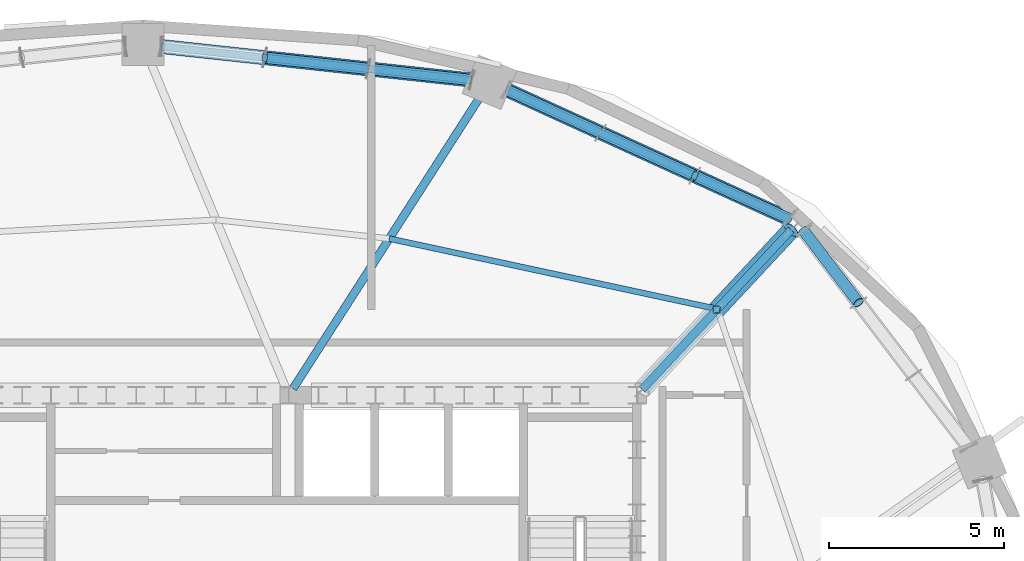
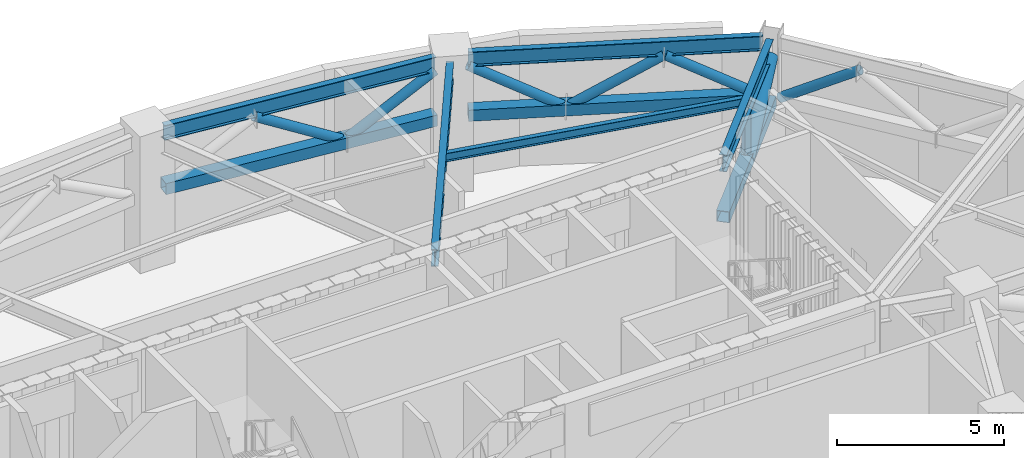
# One storey, part 6 of 17: 11 members, 5 beams.
"""IFC4 building model written with IfcOpenShell, lengths in metres."""

import ifcopenshell
import ifcopenshell.guid

model = None  # the IFC model being written
_history = None  # IfcOwnerHistory: only IFC2X3 demands one
_inside = {}  # id of a spatial element -> (the spatial element, [elements in it])
_under = {}  # id of a project, library or spatial element -> (it, [spatial elements below it])
_declared = {}  # id of a project -> (the project, [libraries it declares])
_typed = {}  # id of a type object -> (the type object, [elements of that type])
_made_of = {}  # id of a material, layer set ... -> (it, [elements and type objects made of it])


def new_model(schema):
    """Start an empty IFC model of exactly this schema.

    Asked for "IFC4X3", IfcOpenShell would pick the latest addendum, in which some entities
    have other attributes; the version numbers below select the first issue.
    IFC2X3 requires an IfcOwnerHistory on every rooted entity: one is made here for all.
    """
    global model, _history
    if schema == "IFC4X3":
        model = ifcopenshell.file(schema_version=(4, 3, 0, 0))
    else:
        model = ifcopenshell.file(schema=schema)
    _inside.clear()
    _under.clear()
    _declared.clear()
    _typed.clear()
    _made_of.clear()
    _history = None
    if model.schema == "IFC2X3":
        org = make("IfcOrganization", Name="unknown")
        user = make(
            "IfcPersonAndOrganization",
            ThePerson=make("IfcPerson", FamilyName="unknown"),
            TheOrganization=org,
        )
        app = make(
            "IfcApplication",
            ApplicationDeveloper=org,
            Version="unknown",
            ApplicationFullName="unknown",
            ApplicationIdentifier="unknown",
        )
        _history = make(
            "IfcOwnerHistory",
            OwningUser=user,
            OwningApplication=app,
            ChangeAction="ADDED",
            CreationDate=0,
        )
    return model


def make(cls, **values):
    """One entity of the class cls with the attributes given. An attribute that is None is left unset."""
    return model.create_entity(
        cls, **{name: value for name, value in values.items() if value is not None}
    )


def rooted(cls, **values):
    """An entity with a GlobalId (a new one), such as an element, a storey or a relation."""
    return make(cls, GlobalId=ifcopenshell.guid.new(), OwnerHistory=_history, **values)


def si_unit(unit_type, name, prefix=None):
    """IfcSIUnit, for example si_unit("LENGTHUNIT", "METRE", prefix="MILLI")."""
    return make("IfcSIUnit", UnitType=unit_type, Prefix=prefix, Name=name)


def assignment(units):
    """IfcUnitAssignment: the units of a project."""
    return None if units is None else make("IfcUnitAssignment", Units=units)


def point(xyz):
    """IfcCartesianPoint."""
    return None if xyz is None else make("IfcCartesianPoint", Coordinates=xyz)


def direction(xyz):
    """IfcDirection."""
    return None if xyz is None else make("IfcDirection", DirectionRatios=xyz)


def frame(location, z_axis=None, x_axis=None):
    """IfcAxis2Placement3D, a coordinate frame: its origin and axes. An axis left out is left unset."""
    return make(
        "IfcAxis2Placement3D",
        Location=point(location),
        Axis=direction(z_axis),
        RefDirection=direction(x_axis),
    )


def frame_2d(location, x_axis=None):
    """IfcAxis2Placement2D, a coordinate frame in the plane: its origin and x axis."""
    return make(
        "IfcAxis2Placement2D", Location=point(location), RefDirection=direction(x_axis)
    )


def origin():
    """The frame at (0, 0, 0) with its axes left unset."""
    return frame((0.0, 0.0, 0.0))


def origin_2d():
    """The frame at (0, 0) in the plane with its x axis left unset."""
    return frame_2d((0.0, 0.0))


def place(relative_to, where):
    """IfcLocalPlacement: puts the frame where relative to a parent placement (None: the world)."""
    return make(
        "IfcLocalPlacement", PlacementRelTo=relative_to, RelativePlacement=where
    )


def context(
    kind, dimensions, precision=None, world=None, true_north=None, identifier=None
):
    """IfcGeometricRepresentationContext, for example the 3D "Model" context."""
    return make(
        "IfcGeometricRepresentationContext",
        ContextIdentifier=identifier,
        ContextType=kind,
        CoordinateSpaceDimension=dimensions,
        Precision=precision,
        WorldCoordinateSystem=world,
        TrueNorth=true_north,
    )


def subcontext(parent, identifier, kind, view, scale=None):
    """IfcGeometricRepresentationSubContext, for example "Body" below "Model"."""
    return make(
        "IfcGeometricRepresentationSubContext",
        ContextIdentifier=identifier,
        ContextType=kind,
        ParentContext=parent,
        TargetScale=scale,
        TargetView=view,
    )


def project(units=None, contexts=None):
    """IfcProject with its units and contexts."""
    return rooted(
        "IfcProject",
        Name="project",
        RepresentationContexts=contexts,
        UnitsInContext=assignment(units),
    )


def spatial(cls, under=None, at=None, **own):
    """A site, building, storey or space (cls), placed at a placement, below another one or the project."""
    s = rooted(cls, ObjectPlacement=at, **own)
    if under is not None:
        _under.setdefault(under.id(), (under, []))[1].append(s)
    return s


def profile(cls, at=None, kind="AREA", **sizes):
    """A parametric profile (cls). Its sizes go by their IFC names, for example OverallWidth=200.0."""
    return make(cls, ProfileType=kind, Position=at, **sizes)


def hollow_rectangle(**sizes):
    """IfcRectangleHollowProfileDef."""
    return profile("IfcRectangleHollowProfileDef", **sizes)


def hollow_circle(**sizes):
    """IfcCircleHollowProfileDef."""
    return profile("IfcCircleHollowProfileDef", **sizes)


def i_section(**sizes):
    """IfcIShapeProfileDef."""
    return profile("IfcIShapeProfileDef", **sizes)


def extrude(swept, where, along, depth):
    """IfcExtrudedAreaSolid: the profile swept, set in the frame where, extruded along a direction by depth."""
    return make(
        "IfcExtrudedAreaSolid",
        SweptArea=swept,
        Position=where,
        ExtrudedDirection=direction(along),
        Depth=depth,
    )


def shape(context_of_items, identifier, shape_type, items):
    """IfcShapeRepresentation: the items that make up one representation, for example the "Body"."""
    return make(
        "IfcShapeRepresentation",
        ContextOfItems=context_of_items,
        RepresentationIdentifier=identifier,
        RepresentationType=shape_type,
        Items=items,
    )


def material(Name=None, Category=None):
    """IfcMaterial."""
    return make("IfcMaterial", Name=Name, Category=Category)


def material_profile(
    of_material, cross_section, Name=None, Category=None, Priority=None
):
    """IfcMaterialProfile: a cross section and its material."""
    return make(
        "IfcMaterialProfile",
        Name=Name,
        Material=of_material,
        Profile=cross_section,
        Priority=Priority,
        Category=Category,
    )


def profile_set(profiles, Name=None, composite=None):
    """IfcMaterialProfileSet."""
    return make(
        "IfcMaterialProfileSet",
        Name=Name,
        MaterialProfiles=profiles,
        CompositeProfile=composite,
    )


def made_of(thing, what):
    """Note that an element or type object is made of a material, layer set ...; save() writes the relation."""
    if what is not None:
        _made_of.setdefault(what.id(), (what, []))[1].append(thing)
    return thing


def type_object(cls, material=None, **own):
    """A type object (cls), such as IfcWallType, which elements share."""
    return made_of(rooted(cls, **own), material)


def element(
    cls,
    number,
    at=None,
    inside=None,
    cuts=None,
    type_object=None,
    material=None,
    context=None,
    identifier="Body",
    shape_type=None,
    held_by="IfcProductDefinitionShape",
    body=None,
    shapes=None,
    **own,
):
    """One element of the class cls, such as IfcWall. Its Tag is "e" and its number.

    at: its placement. inside: the storey or other place that contains it. cuts: it is an
    opening in that element (IfcRelVoidsElement). A single representation is given by context,
    identifier, shape_type and body (its items); several are given by shapes. held_by: the class
    of the entity that holds the representations. save() writes the other relations.
    """
    e = rooted(cls, Tag="e%d" % number, ObjectPlacement=at, **own)
    if body is not None:
        shapes = [shape(context, identifier, shape_type, body)]
    if shapes is not None:
        e.Representation = make(held_by, Representations=shapes)
    if inside is not None:
        _inside.setdefault(inside.id(), (inside, []))[1].append(e)
    if cuts is not None:
        rooted(
            "IfcRelVoidsElement", RelatingBuildingElement=cuts, RelatedOpeningElement=e
        )
    if type_object is not None:
        _typed.setdefault(type_object.id(), (type_object, []))[1].append(e)
    return made_of(e, material)


def aggregate(whole, parts):
    """IfcRelAggregates: a whole, such as a stair, and the parts it consists of."""
    return rooted("IfcRelAggregates", RelatingObject=whole, RelatedObjects=parts)


def save(model, path):
    """Write the relations noted so far, then the file.

    IfcRelAggregates (storeys below a building ...), IfcRelContainedInSpatialStructure (elements
    in a storey), IfcRelDefinesByType, IfcRelAssociatesMaterial and IfcRelDeclares: one each for
    every whole, place, type object, material and project.
    """
    for whole, parts in _under.values():
        aggregate(whole, parts)
    for where, things in _inside.values():
        rooted(
            "IfcRelContainedInSpatialStructure",
            RelatedElements=things,
            RelatingStructure=where,
        )
    for kind, things in _typed.values():
        rooted("IfcRelDefinesByType", RelatedObjects=things, RelatingType=kind)
    for what, things in _made_of.values():
        rooted("IfcRelAssociatesMaterial", RelatedObjects=things, RelatingMaterial=what)
    for by, libraries in _declared.values():
        rooted("IfcRelDeclares", RelatingContext=by, RelatedDefinitions=libraries)
    model.write(path)


model = new_model("IFC4")

# Units and contexts
model_context = context("Model", 3, precision=1e-05, world=origin(), true_north=direction((0.0, 1.0)))
body_context = subcontext(model_context, "Body", "Model", "MODEL_VIEW")
ifc_project = project(units=[si_unit("LENGTHUNIT", "METRE"), si_unit("AREAUNIT", "SQUARE_METRE"), si_unit("VOLUMEUNIT", "CUBIC_METRE"), si_unit("PLANEANGLEUNIT", "RADIAN"), si_unit("MASSUNIT", "GRAM", prefix="KILO")], contexts=[model_context])

# Site, building, storey
site_placement = place(None, origin())
site = spatial("IfcSite", under=ifc_project, at=site_placement, CompositionType="ELEMENT")
building_placement = place(site_placement, origin())
building = spatial("IfcBuilding", under=site, at=building_placement, Name="Haldorwick Loom Tower", CompositionType="ELEMENT")
storey_placement = place(building_placement, frame((0.0, 0.0, 149.449951171875)))
storey = spatial("IfcBuildingStorey", under=building, at=storey_placement, Name="L40", CompositionType="ELEMENT", Elevation=149.449951171875)

# Beams
ifc_material = material(Name="Steel CSA G40.21 350W", Category="steel")
ifc_material_profile_1 = material_profile(ifc_material, i_section(OverallWidth=0.166015625, OverallDepth=0.31298828125, WebThickness=0.006591796875, FlangeThickness=0.01123046875, at=origin_2d()), Name="W310X45", Category="steel")
ifc_profile_set_1 = profile_set([ifc_material_profile_1], Name="Steel CSA G40.21 350W")
beam_type_1 = type_object("IfcBeamType", Name="STR-BM-J310", PredefinedType="JOIST", material=ifc_profile_set_1)
beam_1_placement = place(storey_placement, frame((52.36279296875, 38.007080078125, 4.603515625), z_axis=(-0.977737366421, 0.209832414808, 0.0), x_axis=(-0.209832414808, -0.977737366421, 0.0)))
element("IfcBeam", 1, at=beam_1_placement, inside=storey, type_object=beam_type_1, Name="L40 Mid-Bay Secondary Joist 3", PredefinedType="JOIST", context=body_context, shape_type="SweptSolid", body=[
    extrude(i_section(OverallWidth=0.166015625, OverallDepth=0.31298828125, WebThickness=0.006591796875, FlangeThickness=0.01123046875, at=origin_2d()), origin(), (0.0, 0.0, 1.0), 9.56396484375),
])
ifc_material_profile_2 = material_profile(ifc_material, i_section(OverallWidth=0.2119140625, OverallDepth=0.5439453125, WebThickness=0.01318359375, FlangeThickness=0.021240234375, at=origin_2d()), Name="W530X123", Category="steel")
ifc_profile_set_2 = profile_set([ifc_material_profile_2], Name="Steel CSA G40.21 350W")
beam_type_2 = type_object("IfcBeamType", Name="STR-BM-SP530", PredefinedType="SPANDREL", material=ifc_profile_set_2)
beam_2_placement = place(storey_placement, frame((54.405517578125, 40.57861328125, 4.488037109375), z_axis=(-0.909534296496, 0.415628877121, 0.0), x_axis=(-0.415628877121, -0.909534296496, 0.0)))
element("IfcBeam", 2, at=beam_2_placement, inside=storey, type_object=beam_type_2, Name="L40 Perimeter Spandrel 3", PredefinedType="SPANDREL", context=body_context, shape_type="SweptSolid", body=[
    extrude(i_section(OverallWidth=0.2119140625, OverallDepth=0.5439453125, WebThickness=0.01318359375, FlangeThickness=0.021240234375, at=origin_2d()), origin(), (0.0, 0.0, 1.0), 8.86083984375),
])
beam_3_placement = place(storey_placement, frame((45.356201171875, 44.533447265625, 4.488037109375), z_axis=(-0.994210140187, 0.107453232386, 0.0), x_axis=(-0.107453232386, -0.994210140187, 0.0)))
element("IfcBeam", 3, at=beam_3_placement, inside=storey, type_object=beam_type_2, Name="L40 Perimeter Spandrel 4", PredefinedType="SPANDREL", context=body_context, shape_type="SweptSolid", body=[
    extrude(i_section(OverallWidth=0.2119140625, OverallDepth=0.5439453125, WebThickness=0.01318359375, FlangeThickness=0.021240234375, at=origin_2d()), origin(), (0.0, 0.0, 1.0), 8.890625),
])
ifc_material_profile_3 = material_profile(ifc_material, i_section(OverallWidth=0.22998046875, OverallDepth=0.616943359375, WebThickness=0.01318359375, FlangeThickness=0.022216796875, at=origin_2d()), Name="W610X140", Category="steel")
ifc_profile_set_3 = profile_set([ifc_material_profile_3], Name="Steel CSA G40.21 350W")
beam_type_3 = type_object("IfcBeamType", Name="STR-BM-W610B", PredefinedType="BEAM", material=ifc_profile_set_3)
beam_4_placement = place(storey_placement, frame((50.223388671875, 35.714599609375, 4.45166015625), z_axis=(0.682256728841, 0.731112683484, 0.0), x_axis=(-0.731112683484, 0.682256728841, 0.0)))
element("IfcBeam", 4, at=beam_4_placement, inside=storey, type_object=beam_type_3, Name="L40 Radial Floor Girder 3", PredefinedType="BEAM", context=body_context, shape_type="SweptSolid", body=[
    extrude(i_section(OverallWidth=0.22998046875, OverallDepth=0.616943359375, WebThickness=0.01318359375, FlangeThickness=0.022216796875, at=origin_2d()), origin(), (0.0, 0.0, 1.0), 6.221435546875),
])
beam_5_placement = place(storey_placement, frame((40.271484375, 35.739501953125, 4.45166015625), z_axis=(0.53969086509, 0.841863272829, 0.0), x_axis=(-0.841863272829, 0.53969086509, 0.0)))
element("IfcBeam", 5, at=beam_5_placement, inside=storey, type_object=beam_type_3, Name="L40 Radial Floor Girder 4", PredefinedType="BEAM", context=body_context, shape_type="SweptSolid", body=[
    extrude(i_section(OverallWidth=0.22998046875, OverallDepth=0.616943359375, WebThickness=0.01318359375, FlangeThickness=0.022216796875, at=origin_2d()), origin(), (0.0, 0.0, 1.0), 9.859375),
])

# Members
ifc_material_profile_4 = material_profile(ifc_material, hollow_circle(Radius=0.161865234375, WallThickness=0.0126953125, at=origin_2d()), Name="HSS324X13", Category="steel")
ifc_profile_set_4 = profile_set([ifc_material_profile_4], Name="Steel CSA G40.21 350W")
member_type_1 = type_object("IfcMemberType", Name="STR-MEM-BR324C", PredefinedType="BRACE", material=ifc_profile_set_4)
member_1_placement = place(storey_placement, frame((56.388427734375, 38.18603515625, 4.216064453125), z_axis=(-0.504523015018, 0.663287349076, -0.552726351708), x_axis=(-0.795916661695, -0.605406200526, 0.0)))
element("IfcMember", 6, at=member_1_placement, inside=storey, type_object=member_type_1, Name="L40 Perimeter Belt Truss Web Diagonal 2-3", PredefinedType="BRACE", context=body_context, shape_type="SweptSolid", body=[
    extrude(hollow_circle(Radius=0.161865234375, WallThickness=0.0126953125, at=origin_2d()), origin(), (0.0, 0.0, 1.0), 3.104736328125),
])
member_2_placement = place(storey_placement, frame((54.405517578125, 40.57861328125, 2.5), z_axis=(-0.786450249272, 0.359348587181, 0.502359033273), x_axis=(-0.415595668828, -0.90954947092, 0.0)))
element("IfcMember", 7, at=member_2_placement, inside=storey, type_object=member_type_1, Name="L40 Perimeter Belt Truss Web Diagonal 3-1", PredefinedType="BRACE", context=body_context, shape_type="SweptSolid", body=[
    extrude(hollow_circle(Radius=0.161865234375, WallThickness=0.0126953125, at=origin_2d()), origin(), (0.0, 0.0, 1.0), 3.416015625),
])
member_3_placement = place(storey_placement, frame((51.718994140625, 41.80615234375, 4.216064453125), z_axis=(-0.786422981649, 0.359368785943, -0.502387270564), x_axis=(-0.415626915396, -0.909535192941, 0.0)))
element("IfcMember", 8, at=member_3_placement, inside=storey, type_object=member_type_1, Name="L40 Perimeter Belt Truss Web Diagonal 3-2", PredefinedType="BRACE", context=body_context, shape_type="SweptSolid", body=[
    extrude(hollow_circle(Radius=0.161865234375, WallThickness=0.0126953125, at=origin_2d()), origin(), (0.0, 0.0, 1.0), 3.415771484375),
])
member_4_placement = place(storey_placement, frame((49.03271484375, 43.03369140625, 2.5), z_axis=(-0.786430050065, 0.359410825316, 0.502346130671), x_axis=(-0.415664045194, -0.909518224959, 0.0)))
element("IfcMember", 9, at=member_4_placement, inside=storey, type_object=member_type_1, Name="L40 Perimeter Belt Truss Web Diagonal 3-3", PredefinedType="BRACE", context=body_context, shape_type="SweptSolid", body=[
    extrude(hollow_circle(Radius=0.161865234375, WallThickness=0.0126953125, at=origin_2d()), origin(), (0.0, 0.0, 1.0), 3.416015625),
])
for number, where, z_axis, x_axis, name in (
    (10, (45.356201171875, 44.533447265625, 4.216064453125), (-0.860368862403, 0.092966605616, -0.50112137337), (-0.107429021755, -0.994212756549, 0.0), "L40 Perimeter Belt Truss Web Diagonal 4-1"),
    (11, (42.409912109375, 44.851806640625, 2.5), (-0.860381676264, 0.093031575733, 0.501087314812), (-0.107501649064, -0.994204906168, 0.0), "L40 Perimeter Belt Truss Web Diagonal 4-2"),
):
    element("IfcMember", number, at=place(storey_placement, frame(where, z_axis=z_axis, x_axis=x_axis)), inside=storey, type_object=member_type_1, Name=name, PredefinedType="BRACE", context=body_context, shape_type="SweptSolid", body=[
        extrude(hollow_circle(Radius=0.161865234375, WallThickness=0.0126953125, at=origin_2d()), origin(), (0.0, 0.0, 1.0), 3.424560546875),
    ])
ifc_material_profile_5 = material_profile(ifc_material, hollow_circle(Radius=0.25390625, WallThickness=0.015869140625, at=origin_2d()), Name="HSS508X16", Category="steel")
ifc_profile_set_5 = profile_set([ifc_material_profile_5], Name="Steel CSA G40.21 350W")
member_type_2 = type_object("IfcMemberType", Name="STR-MEM-BR508", PredefinedType="BRACE", material=ifc_profile_set_5)
member_5_placement = place(storey_placement, frame((52.345703125, 37.98876953125, 2.5), z_axis=(0.603260309268, 0.646494080426, 0.467035762266), x_axis=(-0.731130948712, 0.682237155126, 0.0)))
element("IfcMember", 12, at=member_5_placement, inside=storey, type_object=member_type_2, Name="L40 Outrigger OT-NE Outer Diagonal", PredefinedType="BRACE", context=body_context, shape_type="SweptSolid", body=[
    extrude(hollow_circle(Radius=0.25390625, WallThickness=0.015869140625, at=origin_2d()), origin(), (0.0, 0.0, 1.0), 3.51806640625),
])
ifc_material_profile_6 = material_profile(ifc_material, hollow_rectangle(XDim=0.406494140625, YDim=0.406494140625, WallThickness=0.015869140625, at=origin_2d()), Name="HSS406X406X16", Category="steel")
ifc_profile_set_6 = profile_set([ifc_material_profile_6], Name="Steel CSA G40.21 350W")
member_type_3 = type_object("IfcMemberType", Name="STR-MEM-CH406", PredefinedType="CHORD", material=ifc_profile_set_6)
member_6_placement = place(storey_placement, frame((54.405517578125, 40.57861328125, 2.5), z_axis=(-0.909534296496, 0.415628877121, 0.0), x_axis=(-0.415628877121, -0.909534296496, 0.0)))
element("IfcMember", 13, at=member_6_placement, inside=storey, type_object=member_type_3, Name="L40 Perimeter Belt Truss Bottom Chord 3", PredefinedType="CHORD", context=body_context, shape_type="SweptSolid", body=[
    extrude(hollow_rectangle(XDim=0.406494140625, YDim=0.406494140625, WallThickness=0.015869140625, at=origin_2d()), origin(), (0.0, 0.0, 1.0), 8.86083984375),
])
member_7_placement = place(storey_placement, frame((45.356201171875, 44.533447265625, 2.5), z_axis=(-0.994210140187, 0.107453232386, 0.0), x_axis=(-0.107453232386, -0.994210140187, 0.0)))
element("IfcMember", 14, at=member_7_placement, inside=storey, type_object=member_type_3, Name="L40 Perimeter Belt Truss Bottom Chord 4", PredefinedType="CHORD", context=body_context, shape_type="SweptSolid", body=[
    extrude(hollow_rectangle(XDim=0.406494140625, YDim=0.406494140625, WallThickness=0.015869140625, at=origin_2d()), origin(), (0.0, 0.0, 1.0), 8.890625),
])
member_8_placement = place(storey_placement, frame((50.223388671875, 35.714599609375, 2.5), z_axis=(0.682256728841, 0.731112683484, 0.0), x_axis=(-0.731112683484, 0.682256728841, 0.0)))
element("IfcMember", 15, at=member_8_placement, inside=storey, type_object=member_type_3, Name="L40 Outrigger OT-NE Bottom Chord", PredefinedType="CHORD", context=body_context, shape_type="SweptSolid", body=[
    extrude(hollow_rectangle(XDim=0.406494140625, YDim=0.406494140625, WallThickness=0.015869140625, at=origin_2d()), origin(), (0.0, 0.0, 1.0), 6.221435546875),
])
ifc_material_profile_7 = material_profile(ifc_material, hollow_rectangle(XDim=0.203125, YDim=0.203125, WallThickness=0.009521484375, at=origin_2d()), Name="HSS203X203X10", Category="steel")
ifc_profile_set_7 = profile_set([ifc_material_profile_7], Name="Steel CSA G40.21 350W")
member_type_4 = type_object("IfcMemberType", Name="STR-MEM-ST203", PredefinedType="STRUT", material=ifc_profile_set_7)
member_9_placement = place(storey_placement, frame((52.345703125, 37.98876953125, 2.5), z_axis=(0.0, 0.0, 1.0), x_axis=(1.0, 0.0, 0.0)))
element("IfcMember", 16, at=member_9_placement, inside=storey, type_object=member_type_4, Name="L40 Outrigger OT-NE Mid Post", PredefinedType="STRUT", context=body_context, shape_type="SweptSolid", body=[
    extrude(hollow_rectangle(XDim=0.203125, YDim=0.203125, WallThickness=0.009521484375, at=origin_2d()), origin(), (0.0, 0.0, 1.0), 1.64306640625),
])

save(model, "model.ifc")
